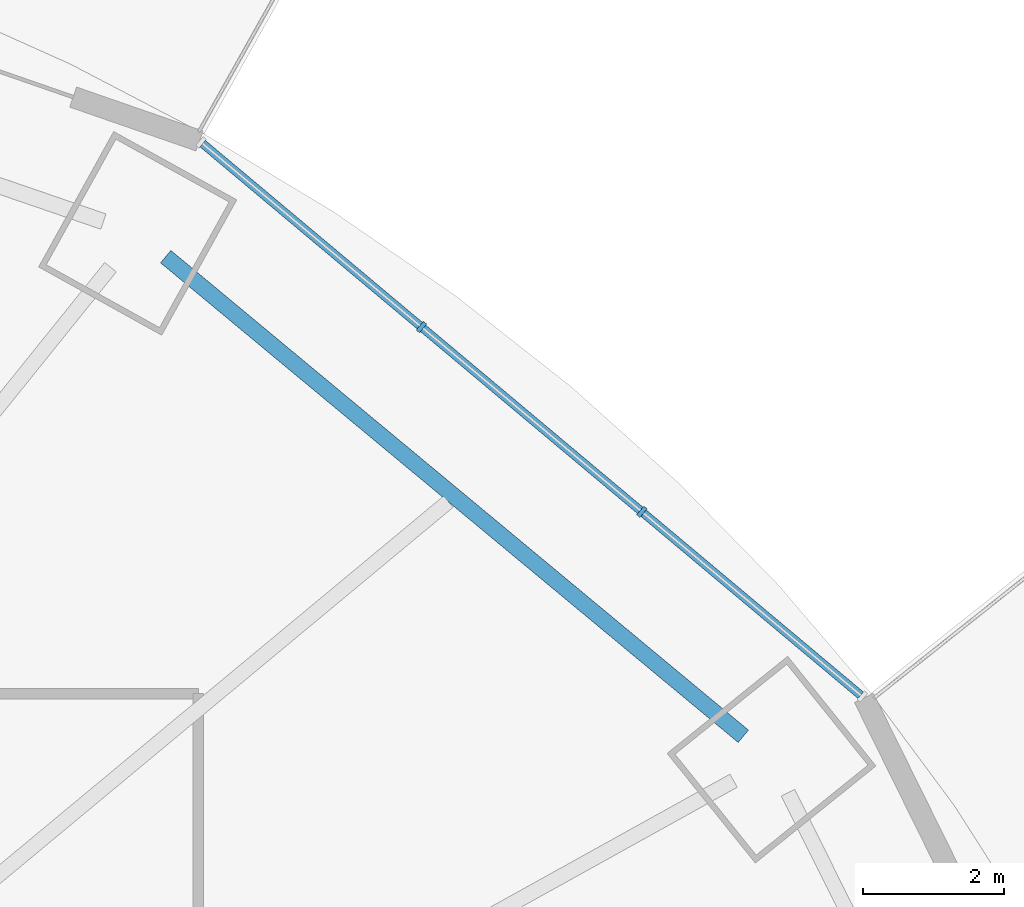
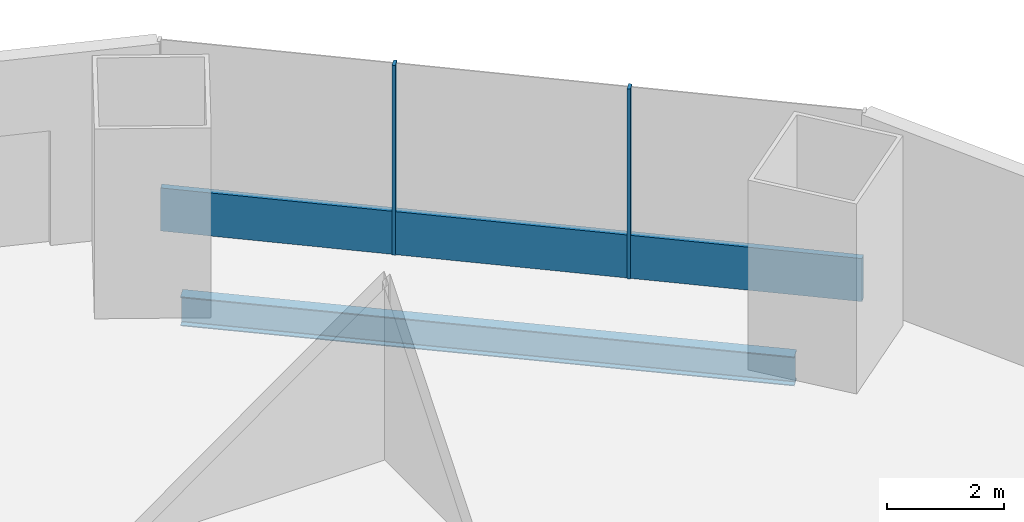
# One storey, part 10 of 22: 3 members, 1 beam, 1 element without a shape of its own.
"""IFC4 building model written with IfcOpenShell, lengths in metres."""

from ifc_helpers import new_model, si_unit, direction, frame, origin, origin_2d, place, context, subcontext, project, spatial, rectangle, i_section, extrude, material, material_profile, profile_set, type_object, element, aggregate, save


model = new_model("IFC4")

# Units and contexts
model_context = context("Model", 3, precision=1e-05, world=origin(), true_north=direction((0.0, 1.0)))
body_context = subcontext(model_context, "Body", "Model", "MODEL_VIEW")
ifc_project = project(units=[si_unit("LENGTHUNIT", "METRE"), si_unit("AREAUNIT", "SQUARE_METRE"), si_unit("VOLUMEUNIT", "CUBIC_METRE"), si_unit("PLANEANGLEUNIT", "RADIAN"), si_unit("MASSUNIT", "GRAM", prefix="KILO")], contexts=[model_context])

# Site, building, storey
site_placement = place(None, origin())
site = spatial("IfcSite", under=ifc_project, at=site_placement, CompositionType="ELEMENT")
building_placement = place(site_placement, origin())
building = spatial("IfcBuilding", under=site, at=building_placement, Name="Marenthal Gate Tower", CompositionType="ELEMENT")
storey_placement = place(building_placement, frame((0.0, 0.0, 116.0)))
storey = spatial("IfcBuildingStorey", under=building, at=storey_placement, Name="L24", CompositionType="ELEMENT", Elevation=116.0)

# Curtain wall, members
ifc_material_1 = material(Name="Aluminium and glass", Category="aluminium")
curtain_wall_type = type_object("IfcCurtainWallType", Name="Curtain wall typical low", PredefinedType="NOTDEFINED", material=ifc_material_1)
curtain_wall_placement = place(storey_placement, origin())
curtain_wall = element("IfcCurtainWall", 1, at=curtain_wall_placement, inside=storey, type_object=curtain_wall_type, Name="Curtain wall L24 bay 2", PredefinedType="NOTDEFINED")
ifc_material_2 = material(Name="Aluminium", Category="aluminium")
ifc_material_profile_1 = material_profile(ifc_material_2, rectangle(XDim=0.159912109375, YDim=0.06005859375, at=origin_2d()), Name="60x160 aluminium mullion")
ifc_profile_set_1 = profile_set([ifc_material_profile_1], Name="Aluminium")
member_type_1 = type_object("IfcMemberType", Name="Mullion 60x160 typical low", PredefinedType="MULLION", material=ifc_profile_set_1)
member_1_placement = place(storey_placement, frame((25.302490234375, 18.5830078125, 0.0), z_axis=(0.0, 0.0, 1.0), x_axis=(-0.642377082487, -0.766388728972, 0.0)))
member_1 = element("IfcMember", 2, at=member_1_placement, type_object=member_type_1, Name="Mullion L24 bay 2.2", PredefinedType="MULLION", context=body_context, shape_type="SweptSolid", body=[
    extrude(rectangle(XDim=0.159912109375, YDim=0.06005859375, at=origin_2d()), origin(), (0.0, 0.0, 1.0), 3.969970703125),
])
member_2_placement = place(storey_placement, frame((22.170166015625, 21.20849609375, 0.0), z_axis=(0.0, 0.0, 1.0), x_axis=(-0.642377082487, -0.766388728972, 0.0)))
member_2 = element("IfcMember", 3, at=member_2_placement, type_object=member_type_1, Name="Mullion L24 bay 2.3", PredefinedType="MULLION", context=body_context, shape_type="SweptSolid", body=[
    extrude(rectangle(XDim=0.159912109375, YDim=0.06005859375, at=origin_2d()), origin(), (0.0, 0.0, 1.0), 3.969970703125),
])
ifc_material_3 = material(Name="Aluminium", Category="aluminium")
ifc_material_profile_2 = material_profile(ifc_material_3, rectangle(XDim=0.1201171875, YDim=0.89990234375, at=origin_2d()), Name="120x900 aluminium transom")
ifc_profile_set_2 = profile_set([ifc_material_profile_2], Name="Aluminium")
member_type_2 = type_object("IfcMemberType", Name="Transom 120x900 typical low", PredefinedType="USERDEFINED", material=ifc_profile_set_2)
member_3_placement = place(storey_placement, frame((28.411865234375, 15.976806640625, 0.449951171875), z_axis=(-0.766391084467, 0.64237427225, 0.0), x_axis=(-0.64237427225, -0.766391084467, 0.0)))
member_3 = element("IfcMember", 4, at=member_3_placement, type_object=member_type_2, Name="Transom L24 bay 2", ObjectType="TRANSOM", PredefinedType="USERDEFINED", context=body_context, shape_type="SweptSolid", body=[
    extrude(rectangle(XDim=0.1201171875, YDim=0.89990234375, at=origin_2d()), origin(), (0.0, 0.0, 1.0), 12.201416015625),
])
aggregate(curtain_wall, [member_1, member_2, member_3])

# Beam
ifc_material_4 = material(Name="Steel S355", Category="steel")
ifc_material_profile_3 = material_profile(ifc_material_4, i_section(OverallWidth=0.22900390625, OverallDepth=0.612060546875, WebThickness=0.011962890625, FlangeThickness=0.01953125, FilletRadius=0.0126953125, at=origin_2d()), Name="W610X125")
ifc_profile_set_3 = profile_set([ifc_material_profile_3], Name="Steel S355")
beam_type = type_object("IfcBeamType", Name="W610X125 beam", PredefinedType="BEAM", material=ifc_profile_set_3)
beam_placement = place(storey_placement, frame((26.743896484375, 15.392822265625, -0.486083984375), z_axis=(-0.769349195684, 0.638828470796, 0.0), x_axis=(-0.638828470796, -0.769349195684, 0.0)))
element("IfcBeam", 5, at=beam_placement, inside=storey, type_object=beam_type, Name="BM-L24-42", PredefinedType="BEAM", context=body_context, shape_type="SweptSolid", body=[
    extrude(i_section(OverallWidth=0.22900390625, OverallDepth=0.612060546875, WebThickness=0.011962890625, FlangeThickness=0.01953125, FilletRadius=0.0126953125, at=origin_2d()), origin(), (0.0, 0.0, 1.0), 10.66943359375),
])

save(model, "model.ifc")
